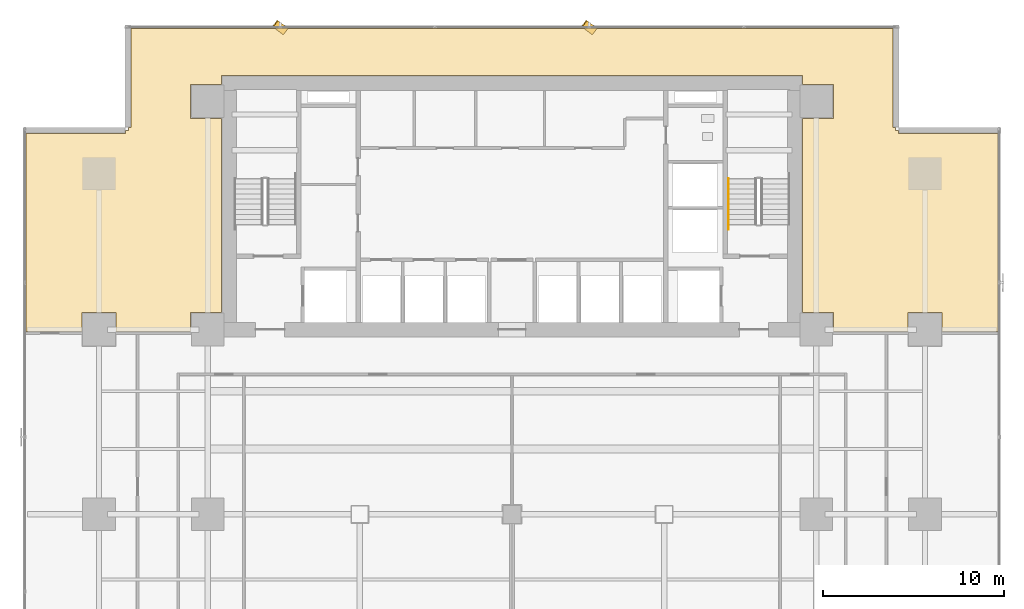
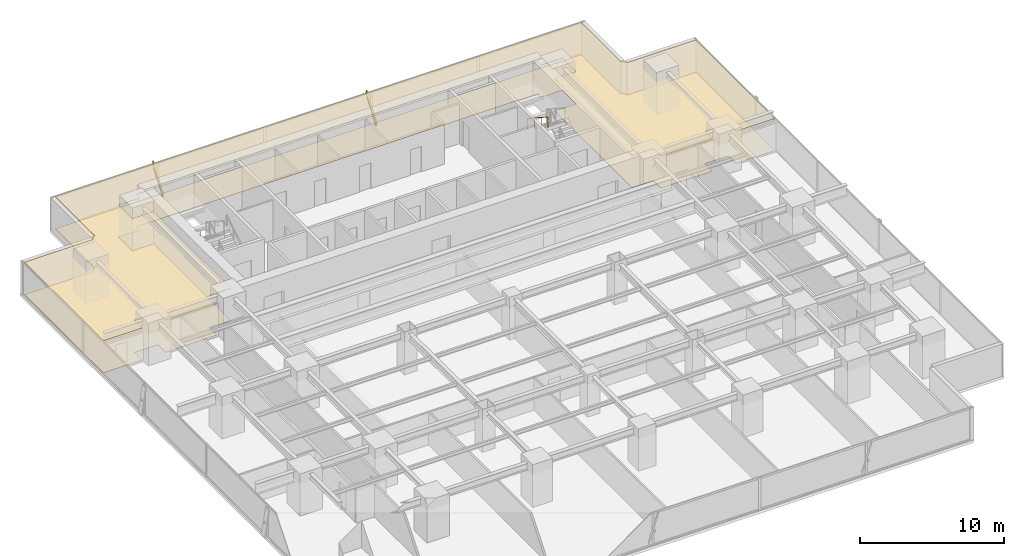
# One storey, part 32 of 34: 2 coverings, 2 shading devices, 1 railing.
"""IFC4 building model written with IfcOpenShell, lengths in metres."""

from ifc_helpers import new_model, si_unit, direction, frame, origin, origin_2d, place, context, subcontext, project, spatial, polyline, rectangle, outline, extrude, source, transform, mapped, material, layer, layer_set, material_profile, profile_set, type_object, element, save


model = new_model("IFC4")

# Units and contexts
model_context = context("Model", 3, precision=1e-05, world=origin(), true_north=direction((0.0, 1.0)))
body_context = subcontext(model_context, "Body", "Model", "MODEL_VIEW")
ifc_project = project(units=[si_unit("LENGTHUNIT", "METRE"), si_unit("AREAUNIT", "SQUARE_METRE"), si_unit("VOLUMEUNIT", "CUBIC_METRE"), si_unit("PLANEANGLEUNIT", "RADIAN"), si_unit("MASSUNIT", "GRAM", prefix="KILO")], contexts=[model_context])

# Site, building, storey
site_placement = place(None, origin())
site = spatial("IfcSite", under=ifc_project, at=site_placement, CompositionType="ELEMENT")
building_placement = place(site_placement, origin())
building = spatial("IfcBuilding", under=site, at=building_placement, Name="Sumidabori Civic Tower", CompositionType="ELEMENT")
storey_placement = place(building_placement, frame((0.0, 0.0, 34.39990234375)))
storey = spatial("IfcBuildingStorey", under=building, at=storey_placement, Name="L08", CompositionType="ELEMENT", Elevation=34.39990234375)

# Coverings
ifc_material_1 = material(Name="Perforated Timber Acoustic Ceiling", Category="wood")
ifc_layer_1 = layer(ifc_material_1, 0.044921875, Name="Perforated Timber Acoustic Ceiling")
ifc_layer_set_1 = layer_set([ifc_layer_1], Name="Perforated Timber Acoustic Ceiling")
covering_type_1 = type_object("IfcCoveringType", Name="CV-CEIL-AC2", PredefinedType="CEILING", material=ifc_layer_set_1)
covering_1_placement = place(storey_placement, frame((0.0, 0.0, 2.710205078125)))
element("IfcCovering", 1, at=covering_1_placement, inside=storey, type_object=covering_type_1, Name="Room Acoustic Ceiling L08-01", PredefinedType="CEILING", context=body_context, shape_type="SweptSolid", body=[
    extrude(outline(polyline([(-21.342041015625, 21.179931640625), (-21.179931640625, 21.179931640625), (-21.179931640625, 21.342041015625), (-21.02197265625, 21.342041015625), (-21.02197265625, 26.830078125), (21.02197265625, 26.830078125), (21.02197265625, 21.342041015625), (21.179931640625, 21.342041015625), (21.179931640625, 21.179931640625), (21.342041015625, 21.179931640625), (21.342041015625, 21.02197265625), (26.830078125, 21.02197265625), (26.830078125, 10.08740234375), (23.739990234375, 10.08740234375), (23.739990234375, 11.139892578125), (21.860107421875, 11.139892578125), (21.860107421875, 10.08740234375), (20.7548828125, 10.08740234375), (20.7548828125, 10.10498046875), (17.739990234375, 10.10498046875), (17.739990234375, 11.139892578125), (16.028076171875, 11.139892578125), (16.028076171875, 21.860107421875), (17.739990234375, 21.860107421875), (17.739990234375, 23.739990234375), (16.028076171875, 23.739990234375), (16.028076171875, 24.22802734375), (-16.028076171875, 24.22802734375), (-16.028076171875, 23.739990234375), (-17.739990234375, 23.739990234375), (-17.739990234375, 21.860107421875), (-16.028076171875, 21.860107421875), (-16.028076171875, 11.139892578125), (-17.739990234375, 11.139892578125), (-17.739990234375, 10.10498046875), (-20.7548828125, 10.10498046875), (-20.7548828125, 10.08740234375), (-21.860107421875, 10.08740234375), (-21.860107421875, 11.139892578125), (-23.739990234375, 11.139892578125), (-23.739990234375, 10.08740234375), (-26.830078125, 10.08740234375), (-26.830078125, 21.02197265625), (-21.342041015625, 21.02197265625), (-21.342041015625, 21.179931640625)])), origin(), (0.0, 0.0, 1.0), 0.044921875),
])
ifc_material_2 = material(Name="Honed Terrazzo Tile Flooring")
ifc_layer_2 = layer(ifc_material_2, 0.030029296875, Name="Honed Terrazzo Tile Flooring")
ifc_layer_set_2 = layer_set([ifc_layer_2], Name="Honed Terrazzo Tile Flooring")
covering_type_2 = type_object("IfcCoveringType", Name="CV-FLR-TER", PredefinedType="FLOORING", material=ifc_layer_set_2)
covering_2_placement = place(storey_placement, origin())
element("IfcCovering", 2, at=covering_2_placement, inside=storey, type_object=covering_type_2, Name="Room Terrazzo Floor L08-01", PredefinedType="FLOORING", context=body_context, shape_type="SweptSolid", body=[
    extrude(outline(polyline([(-21.342041015625, 21.179931640625), (-21.179931640625, 21.179931640625), (-21.179931640625, 21.342041015625), (-21.02197265625, 21.342041015625), (-21.02197265625, 26.830078125), (21.02197265625, 26.830078125), (21.02197265625, 21.342041015625), (21.179931640625, 21.342041015625), (21.179931640625, 21.179931640625), (21.342041015625, 21.179931640625), (21.342041015625, 21.02197265625), (26.830078125, 21.02197265625), (26.830078125, 10.08740234375), (23.739990234375, 10.08740234375), (23.739990234375, 11.139892578125), (21.860107421875, 11.139892578125), (21.860107421875, 10.08740234375), (20.7548828125, 10.08740234375), (20.7548828125, 10.10498046875), (17.739990234375, 10.10498046875), (17.739990234375, 11.139892578125), (16.028076171875, 11.139892578125), (16.028076171875, 21.860107421875), (17.739990234375, 21.860107421875), (17.739990234375, 23.739990234375), (16.028076171875, 23.739990234375), (16.028076171875, 24.22802734375), (-16.028076171875, 24.22802734375), (-16.028076171875, 23.739990234375), (-17.739990234375, 23.739990234375), (-17.739990234375, 21.860107421875), (-16.028076171875, 21.860107421875), (-16.028076171875, 11.139892578125), (-17.739990234375, 11.139892578125), (-17.739990234375, 10.10498046875), (-20.7548828125, 10.10498046875), (-20.7548828125, 10.08740234375), (-21.860107421875, 10.08740234375), (-21.860107421875, 11.139892578125), (-23.739990234375, 11.139892578125), (-23.739990234375, 10.08740234375), (-26.830078125, 10.08740234375), (-26.830078125, 21.02197265625), (-21.342041015625, 21.02197265625), (-21.342041015625, 21.179931640625)])), origin(), (0.0, 0.0, 1.0), 0.030029296875),
])

# Railing
ifc_material_3 = material(Name="Stainless Steel Hairline Finish", Category="steel")
railing_type = type_object("IfcRailingType", Name="RL-HANDRAIL", PredefinedType="HANDRAIL", material=ifc_material_3)
railing_placement = place(storey_placement, frame((11.949951171875, 18.52001953125, 1.97998046875)))
element("IfcRailing", 3, at=railing_placement, inside=storey, type_object=railing_type, Name="L08 ST-2 stair handrail 2", PredefinedType="HANDRAIL", context=body_context, shape_type="SweptSolid", body=[
    extrude(rectangle(XDim=0.048095703125, YDim=0.048095703125, at=origin_2d()), frame((0.0, 0.0, 0.8759765625), z_axis=(0.0, -0.84064222762, 0.54159084662), x_axis=(1.0, 0.0, 0.0)), (0.0, 0.0, 1.0), 3.330810546875),
    extrude(rectangle(XDim=0.0419921875, YDim=0.0419921875, at=origin_2d()), origin(), (0.0, 0.0, 1.0), 0.851806640625),
    extrude(rectangle(XDim=0.0419921875, YDim=0.0419921875, at=origin_2d()), frame((0.0, -0.933349609375, 0.601318359375)), (0.0, 0.0, 1.0), 0.851806640625),
    extrude(rectangle(XDim=0.0419921875, YDim=0.0419921875, at=origin_2d()), frame((0.0, -1.86669921875, 1.20263671875)), (0.0, 0.0, 1.0), 0.851806640625),
    extrude(rectangle(XDim=0.0419921875, YDim=0.0419921875, at=origin_2d()), frame((0.0, -2.800048828125, 1.803955078125)), (0.0, 0.0, 1.0), 0.851806640625),
])

# Shading devices
ifc_material_4 = material(Name="Anodised Bronze Aluminium AW-6063-T6", Category="aluminium")
ifc_material_profile = material_profile(ifc_material_4, rectangle(XDim=0.06005859375, YDim=0.449951171875, at=origin_2d()), Name="BRONZE FIN 450x60")
ifc_profile_set = profile_set([ifc_material_profile], Name="Anodised Bronze Aluminium AW-6063-T6")
shading_device_type = type_object("IfcShadingDeviceType", Name="SH-FIN-450", PredefinedType="USERDEFINED", material=ifc_profile_set)
shared_shape = source(origin(), body_context, "Body", "SweptSolid", [
    extrude(rectangle(XDim=0.06005859375, YDim=0.449951171875, at=origin_2d()), origin(), (0.0, 0.0, 1.0), 2.77001953125),
])
for number, where, z_axis, x_axis, name in (
    (4, (4.5439453125, 26.669921875, 0.02001953125), (-0.202178689694, 0.151678084117, 0.967531671953), (0.773944359394, -0.580626958377, 0.252749804684), "Bronze Anodised Diagonal Fin L08-02"),
    (5, (-12.511962890625, 26.669921875, 0.02001953125), (-0.202178689694, 0.151678084117, 0.967531671953), (0.773944359394, -0.580626958377, 0.252749804684), "Bronze Anodised Diagonal Fin L08-04"),
):
    element("IfcShadingDevice", number, at=place(storey_placement, frame(where, z_axis=z_axis, x_axis=x_axis)), inside=storey, type_object=shading_device_type, Name=name, ObjectType="FIN", PredefinedType="USERDEFINED", context=body_context, shape_type="MappedRepresentation", body=[
        mapped(shared_shape, transform((0.0, 0.0, 0.0), x_axis=(1.0, 0.0, 0.0), y_axis=(0.0, 1.0, 0.0), z_axis=(0.0, 0.0, 1.0), scale=1.0)),
    ])

save(model, "model.ifc")
